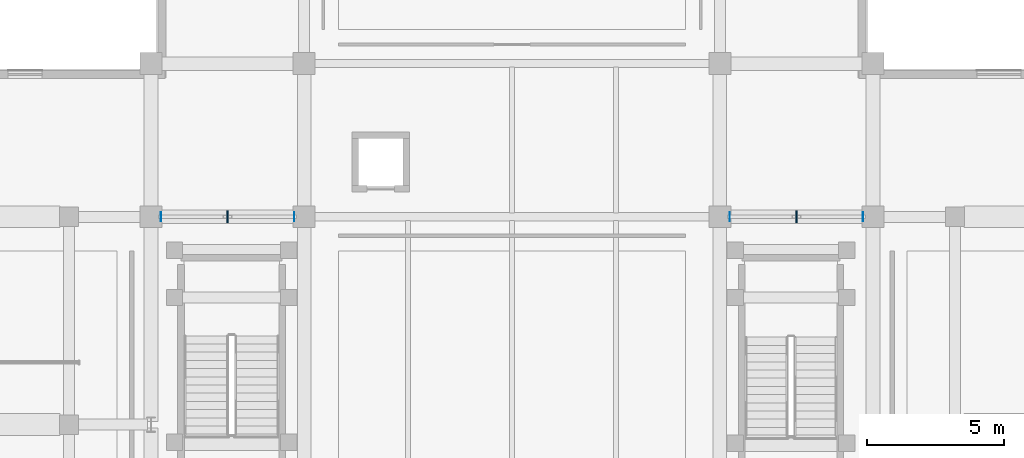
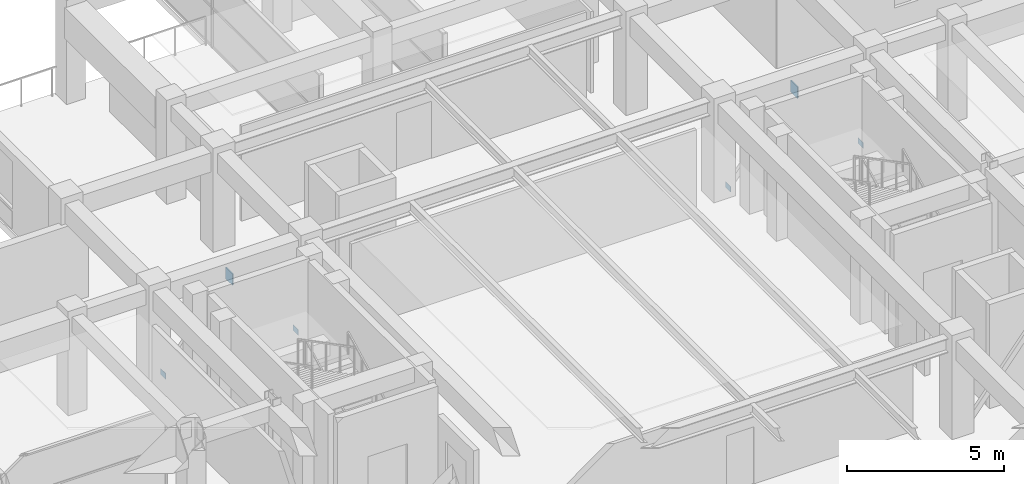
# One storey, part 45 of 70: 6 plates.
"""IFC4 building model written with IfcOpenShell, lengths in metres."""

import ifcopenshell
import ifcopenshell.guid

model = None  # the IFC model being written
_history = None  # IfcOwnerHistory: only IFC2X3 demands one
_inside = {}  # id of a spatial element -> (the spatial element, [elements in it])
_under = {}  # id of a project, library or spatial element -> (it, [spatial elements below it])
_declared = {}  # id of a project -> (the project, [libraries it declares])
_typed = {}  # id of a type object -> (the type object, [elements of that type])
_made_of = {}  # id of a material, layer set ... -> (it, [elements and type objects made of it])


def new_model(schema):
    """Start an empty IFC model of exactly this schema.

    Asked for "IFC4X3", IfcOpenShell would pick the latest addendum, in which some entities
    have other attributes; the version numbers below select the first issue.
    IFC2X3 requires an IfcOwnerHistory on every rooted entity: one is made here for all.
    """
    global model, _history
    if schema == "IFC4X3":
        model = ifcopenshell.file(schema_version=(4, 3, 0, 0))
    else:
        model = ifcopenshell.file(schema=schema)
    _inside.clear()
    _under.clear()
    _declared.clear()
    _typed.clear()
    _made_of.clear()
    _history = None
    if model.schema == "IFC2X3":
        org = make("IfcOrganization", Name="unknown")
        user = make(
            "IfcPersonAndOrganization",
            ThePerson=make("IfcPerson", FamilyName="unknown"),
            TheOrganization=org,
        )
        app = make(
            "IfcApplication",
            ApplicationDeveloper=org,
            Version="unknown",
            ApplicationFullName="unknown",
            ApplicationIdentifier="unknown",
        )
        _history = make(
            "IfcOwnerHistory",
            OwningUser=user,
            OwningApplication=app,
            ChangeAction="ADDED",
            CreationDate=0,
        )
    return model


def make(cls, **values):
    """One entity of the class cls with the attributes given. An attribute that is None is left unset."""
    return model.create_entity(
        cls, **{name: value for name, value in values.items() if value is not None}
    )


def rooted(cls, **values):
    """An entity with a GlobalId (a new one), such as an element, a storey or a relation."""
    return make(cls, GlobalId=ifcopenshell.guid.new(), OwnerHistory=_history, **values)


def si_unit(unit_type, name, prefix=None):
    """IfcSIUnit, for example si_unit("LENGTHUNIT", "METRE", prefix="MILLI")."""
    return make("IfcSIUnit", UnitType=unit_type, Prefix=prefix, Name=name)


def assignment(units):
    """IfcUnitAssignment: the units of a project."""
    return None if units is None else make("IfcUnitAssignment", Units=units)


def point(xyz):
    """IfcCartesianPoint."""
    return None if xyz is None else make("IfcCartesianPoint", Coordinates=xyz)


def direction(xyz):
    """IfcDirection."""
    return None if xyz is None else make("IfcDirection", DirectionRatios=xyz)


def frame(location, z_axis=None, x_axis=None):
    """IfcAxis2Placement3D, a coordinate frame: its origin and axes. An axis left out is left unset."""
    return make(
        "IfcAxis2Placement3D",
        Location=point(location),
        Axis=direction(z_axis),
        RefDirection=direction(x_axis),
    )


def frame_2d(location, x_axis=None):
    """IfcAxis2Placement2D, a coordinate frame in the plane: its origin and x axis."""
    return make(
        "IfcAxis2Placement2D", Location=point(location), RefDirection=direction(x_axis)
    )


def origin():
    """The frame at (0, 0, 0) with its axes left unset."""
    return frame((0.0, 0.0, 0.0))


def origin_2d():
    """The frame at (0, 0) in the plane with its x axis left unset."""
    return frame_2d((0.0, 0.0))


def place(relative_to, where):
    """IfcLocalPlacement: puts the frame where relative to a parent placement (None: the world)."""
    return make(
        "IfcLocalPlacement", PlacementRelTo=relative_to, RelativePlacement=where
    )


def context(
    kind, dimensions, precision=None, world=None, true_north=None, identifier=None
):
    """IfcGeometricRepresentationContext, for example the 3D "Model" context."""
    return make(
        "IfcGeometricRepresentationContext",
        ContextIdentifier=identifier,
        ContextType=kind,
        CoordinateSpaceDimension=dimensions,
        Precision=precision,
        WorldCoordinateSystem=world,
        TrueNorth=true_north,
    )


def subcontext(parent, identifier, kind, view, scale=None):
    """IfcGeometricRepresentationSubContext, for example "Body" below "Model"."""
    return make(
        "IfcGeometricRepresentationSubContext",
        ContextIdentifier=identifier,
        ContextType=kind,
        ParentContext=parent,
        TargetScale=scale,
        TargetView=view,
    )


def project(units=None, contexts=None):
    """IfcProject with its units and contexts."""
    return rooted(
        "IfcProject",
        Name="project",
        RepresentationContexts=contexts,
        UnitsInContext=assignment(units),
    )


def spatial(cls, under=None, at=None, **own):
    """A site, building, storey or space (cls), placed at a placement, below another one or the project."""
    s = rooted(cls, ObjectPlacement=at, **own)
    if under is not None:
        _under.setdefault(under.id(), (under, []))[1].append(s)
    return s


def profile(cls, at=None, kind="AREA", **sizes):
    """A parametric profile (cls). Its sizes go by their IFC names, for example OverallWidth=200.0."""
    return make(cls, ProfileType=kind, Position=at, **sizes)


def rectangle(**sizes):
    """IfcRectangleProfileDef."""
    return profile("IfcRectangleProfileDef", **sizes)


def extrude(swept, where, along, depth):
    """IfcExtrudedAreaSolid: the profile swept, set in the frame where, extruded along a direction by depth."""
    return make(
        "IfcExtrudedAreaSolid",
        SweptArea=swept,
        Position=where,
        ExtrudedDirection=direction(along),
        Depth=depth,
    )


def shape(context_of_items, identifier, shape_type, items):
    """IfcShapeRepresentation: the items that make up one representation, for example the "Body"."""
    return make(
        "IfcShapeRepresentation",
        ContextOfItems=context_of_items,
        RepresentationIdentifier=identifier,
        RepresentationType=shape_type,
        Items=items,
    )


def material(Name=None, Category=None):
    """IfcMaterial."""
    return make("IfcMaterial", Name=Name, Category=Category)


def layer(
    of_material, thickness, ventilated=None, Name=None, Category=None, Priority=None
):
    """IfcMaterialLayer: one layer of a wall or slab, of a material (None: an air gap)."""
    return make(
        "IfcMaterialLayer",
        Material=of_material,
        LayerThickness=thickness,
        IsVentilated=ventilated,
        Name=Name,
        Category=Category,
        Priority=Priority,
    )


def layer_set(layers, Name=None):
    """IfcMaterialLayerSet."""
    return make("IfcMaterialLayerSet", MaterialLayers=layers, LayerSetName=Name)


def made_of(thing, what):
    """Note that an element or type object is made of a material, layer set ...; save() writes the relation."""
    if what is not None:
        _made_of.setdefault(what.id(), (what, []))[1].append(thing)
    return thing


def type_object(cls, material=None, **own):
    """A type object (cls), such as IfcWallType, which elements share."""
    return made_of(rooted(cls, **own), material)


def element(
    cls,
    number,
    at=None,
    inside=None,
    cuts=None,
    type_object=None,
    material=None,
    context=None,
    identifier="Body",
    shape_type=None,
    held_by="IfcProductDefinitionShape",
    body=None,
    shapes=None,
    **own,
):
    """One element of the class cls, such as IfcWall. Its Tag is "e" and its number.

    at: its placement. inside: the storey or other place that contains it. cuts: it is an
    opening in that element (IfcRelVoidsElement). A single representation is given by context,
    identifier, shape_type and body (its items); several are given by shapes. held_by: the class
    of the entity that holds the representations. save() writes the other relations.
    """
    e = rooted(cls, Tag="e%d" % number, ObjectPlacement=at, **own)
    if body is not None:
        shapes = [shape(context, identifier, shape_type, body)]
    if shapes is not None:
        e.Representation = make(held_by, Representations=shapes)
    if inside is not None:
        _inside.setdefault(inside.id(), (inside, []))[1].append(e)
    if cuts is not None:
        rooted(
            "IfcRelVoidsElement", RelatingBuildingElement=cuts, RelatedOpeningElement=e
        )
    if type_object is not None:
        _typed.setdefault(type_object.id(), (type_object, []))[1].append(e)
    return made_of(e, material)


def aggregate(whole, parts):
    """IfcRelAggregates: a whole, such as a stair, and the parts it consists of."""
    return rooted("IfcRelAggregates", RelatingObject=whole, RelatedObjects=parts)


def save(model, path):
    """Write the relations noted so far, then the file.

    IfcRelAggregates (storeys below a building ...), IfcRelContainedInSpatialStructure (elements
    in a storey), IfcRelDefinesByType, IfcRelAssociatesMaterial and IfcRelDeclares: one each for
    every whole, place, type object, material and project.
    """
    for whole, parts in _under.values():
        aggregate(whole, parts)
    for where, things in _inside.values():
        rooted(
            "IfcRelContainedInSpatialStructure",
            RelatedElements=things,
            RelatingStructure=where,
        )
    for kind, things in _typed.values():
        rooted("IfcRelDefinesByType", RelatedObjects=things, RelatingType=kind)
    for what, things in _made_of.values():
        rooted("IfcRelAssociatesMaterial", RelatedObjects=things, RelatingMaterial=what)
    for by, libraries in _declared.values():
        rooted("IfcRelDeclares", RelatingContext=by, RelatedDefinitions=libraries)
    model.write(path)


model = new_model("IFC4")

# Units and contexts
model_context = context("Model", 3, precision=1e-05, world=origin(), true_north=direction((0.0, 1.0)))
body_context = subcontext(model_context, "Body", "Model", "MODEL_VIEW")
ifc_project = project(units=[si_unit("LENGTHUNIT", "METRE"), si_unit("AREAUNIT", "SQUARE_METRE"), si_unit("VOLUMEUNIT", "CUBIC_METRE"), si_unit("PLANEANGLEUNIT", "RADIAN"), si_unit("MASSUNIT", "GRAM", prefix="KILO")], contexts=[model_context])

# Site, building, storey
site_placement = place(None, origin())
site = spatial("IfcSite", under=ifc_project, at=site_placement, CompositionType="ELEMENT")
building_placement = place(site_placement, origin())
building = spatial("IfcBuilding", under=site, at=building_placement, Name="Saryqyr Civic Hall", CompositionType="ELEMENT")
storey_placement = place(building_placement, frame((0.0, 0.0, 13.199951171875)))
storey = spatial("IfcBuildingStorey", under=building, at=storey_placement, Name="L03", CompositionType="ELEMENT", Elevation=13.199951171875)

# Plates
ifc_material = material(Name="Steel S355", Category="steel")
ifc_layer_1 = layer(ifc_material, 0.01611328125, Name="Steel S355")
ifc_layer_set_1 = layer_set([ifc_layer_1], Name="Steel S355")
plate_type_1 = type_object("IfcPlateType", Name="STR-PLT-CAP16", PredefinedType="USERDEFINED", material=ifc_layer_set_1)
for number, where, z_axis, x_axis, name in (
    (1, (44.159912109375, 91.60009765625, 0.01025390625), (0.0, 0.0, 1.0), (1.0, 0.0, 0.0), "Hollow section end cap V1-BRCAP-3A0-L03"),
    (2, (49.0400390625, 91.60009765625, 0.01025390625), (0.0, 0.0, 1.0), (1.0, 0.0, 0.0), "Hollow section end cap V1-BRCAP-3B0-L03"),
    (3, (64.9599609375, 91.60009765625, 0.01025390625), (0.0, 0.0, 1.0), (1.0, 0.0, 0.0), "Hollow section end cap V1-BRCAP-4A0-L03"),
    (4, (69.840087890625, 91.60009765625, 0.01025390625), (0.0, 0.0, 1.0), (1.0, 0.0, 0.0), "Hollow section end cap V1-BRCAP-4B0-L03"),
):
    element("IfcPlate", number, at=place(storey_placement, frame(where, z_axis=z_axis, x_axis=x_axis)), inside=storey, type_object=plate_type_1, Name=name, ObjectType="FLANGE_PLATE", PredefinedType="USERDEFINED", context=body_context, shape_type="SweptSolid", body=[
        extrude(rectangle(XDim=0.01611328125, YDim=0.320068359375, at=origin_2d()), origin(), (0.0, 0.0, 1.0), 0.219970703125),
    ])
ifc_layer_2 = layer(ifc_material, 0.0400390625, Name="Steel S355")
ifc_layer_set_2 = layer_set([ifc_layer_2], Name="Steel S355")
plate_type_2 = type_object("IfcPlateType", Name="STR-PLT-GUS40", PredefinedType="USERDEFINED", material=ifc_layer_set_2)
for number, where, z_axis, x_axis, name in (
    (5, (46.60009765625, 91.60009765625, 2.85009765625), (0.0, 0.0, 1.0), (1.0, 0.0, 0.0), "Hollow section end cap V1-BRGUS-3-L03"),
    (6, (67.39990234375, 91.60009765625, 2.85009765625), (0.0, 0.0, 1.0), (1.0, 0.0, 0.0), "Hollow section end cap V1-BRGUS-4-L03"),
):
    element("IfcPlate", number, at=place(storey_placement, frame(where, z_axis=z_axis, x_axis=x_axis)), inside=storey, type_object=plate_type_2, Name=name, ObjectType="FLANGE_PLATE", PredefinedType="USERDEFINED", context=body_context, shape_type="SweptSolid", body=[
        extrude(rectangle(XDim=0.0400390625, YDim=0.43994140625, at=origin_2d()), origin(), (0.0, 0.0, 1.0), 0.43994140625),
    ])

save(model, "model.ifc")
